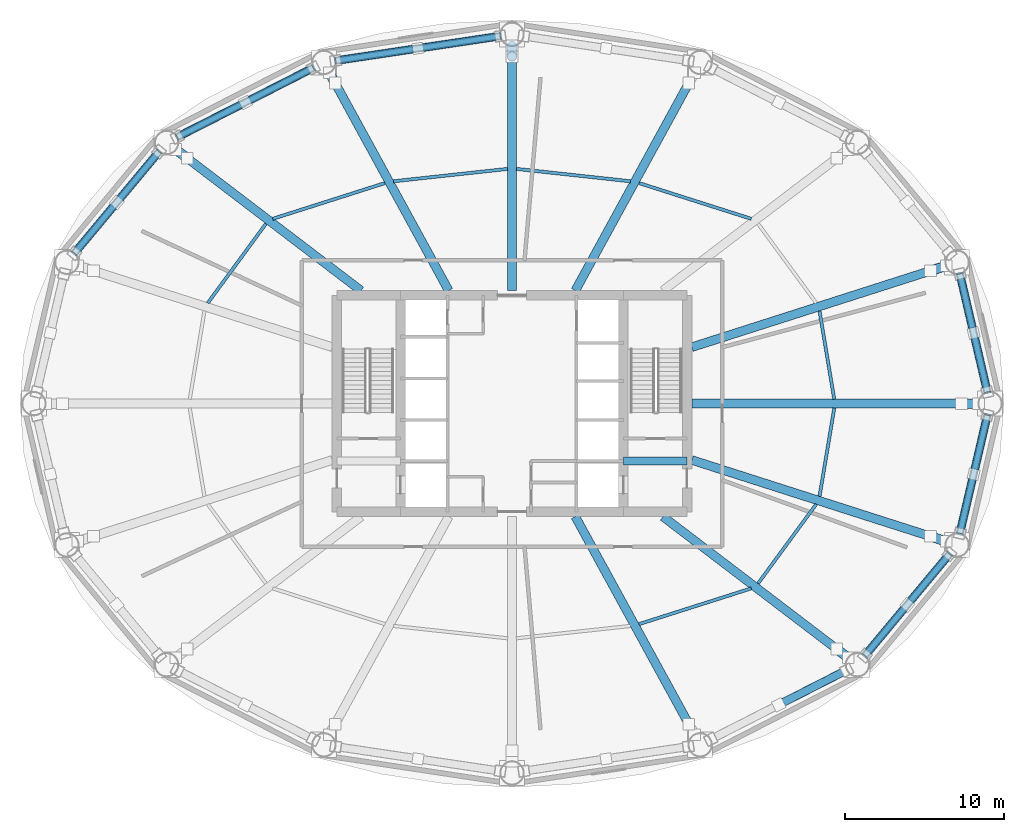
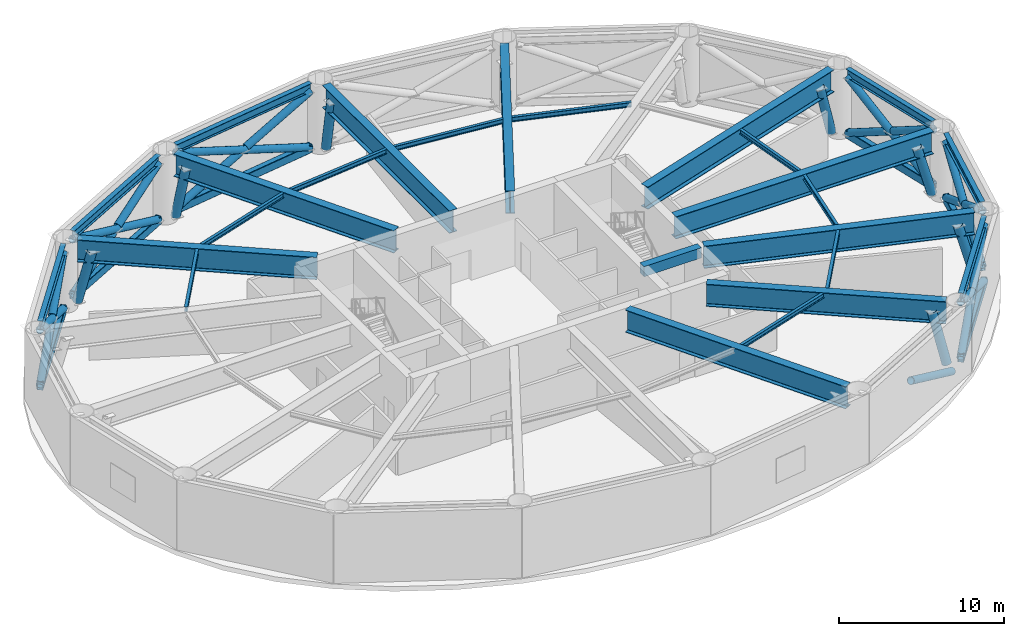
# One storey, part 2 of 7: 32 members, 25 beams.
"""IFC4 building model written with IfcOpenShell, lengths in metres."""

from ifc_helpers import new_model, si_unit, direction, frame, origin, origin_2d, place, context, subcontext, project, spatial, rectangle, hollow_rectangle, hollow_circle, i_section, extrude, material, material_profile, profile_set, type_object, element, save


model = new_model("IFC4")

# Units and contexts
model_context = context("Model", 3, precision=1e-05, world=origin(), true_north=direction((0.0, 1.0)))
body_context = subcontext(model_context, "Body", "Model", "MODEL_VIEW")
ifc_project = project(units=[si_unit("LENGTHUNIT", "METRE"), si_unit("AREAUNIT", "SQUARE_METRE"), si_unit("VOLUMEUNIT", "CUBIC_METRE"), si_unit("PLANEANGLEUNIT", "RADIAN"), si_unit("MASSUNIT", "GRAM", prefix="KILO")], contexts=[model_context])

# Site, building, storey
site_placement = place(None, origin())
site = spatial("IfcSite", under=ifc_project, at=site_placement, CompositionType="ELEMENT")
building_placement = place(site_placement, origin())
building = spatial("IfcBuilding", under=site, at=building_placement, Name="Sarneth Arch Tower", CompositionType="ELEMENT")
storey_placement = place(building_placement, frame((0.0, 0.0, 78.60009765625)))
storey = spatial("IfcBuildingStorey", under=building, at=storey_placement, Name="L19", CompositionType="ELEMENT", Elevation=78.60009765625)

# Beams
ifc_material_1 = material(Name="Steel S355", Category="steel")
ifc_material_profile_1 = material_profile(ifc_material_1, i_section(OverallWidth=0.202880859375, OverallDepth=0.346923828125, WebThickness=0.0078125, FlangeThickness=0.013427734375, FilletRadius=0.014892578125, at=origin_2d()), Name="W360x64")
ifc_profile_set_1 = profile_set([ifc_material_profile_1], Name="Steel S355")
beam_type_1 = type_object("IfcBeamType", Name="BM-JOIST-360C", PredefinedType="JOIST", material=ifc_profile_set_1)
beam_1_placement = place(storey_placement, frame((68.2470703125, 42.271240234375, 4.976318359375), z_axis=(-0.164469283922, 0.986382205155, 0.0), x_axis=(-0.986382205155, -0.164469283922, 0.0)))
element("IfcBeam", 1, at=beam_1_placement, inside=storey, type_object=beam_type_1, Name="L19 Secondary floor joist 01", PredefinedType="JOIST", context=body_context, shape_type="SweptSolid", body=[
    extrude(i_section(OverallWidth=0.202880859375, OverallDepth=0.346923828125, WebThickness=0.0078125, FlangeThickness=0.013427734375, FilletRadius=0.014892578125, at=origin_2d()), origin(), (0.0, 0.0, 1.0), 5.6318359375),
])
beam_2_placement = place(storey_placement, frame((63.031494140625, 53.608642578125, 4.976318359375), z_axis=(-0.952846465824, 0.303452817695, 0.0), x_axis=(-0.303452817695, -0.952846465824, 0.0)))
element("IfcBeam", 2, at=beam_2_placement, inside=storey, type_object=beam_type_1, Name="L19 Secondary floor joist 03", PredefinedType="JOIST", context=body_context, shape_type="SweptSolid", body=[
    extrude(i_section(OverallWidth=0.202880859375, OverallDepth=0.346923828125, WebThickness=0.0078125, FlangeThickness=0.013427734375, FilletRadius=0.014892578125, at=origin_2d()), origin(), (0.0, 0.0, 1.0), 7.40087890625),
])
for number, where, z_axis, x_axis, name in (
    (3, (55.44384765625, 55.9677734375, 4.976318359375), (-0.994171309858, 0.107811904048, 0.0), (-0.107811904048, -0.994171309858, 0.0), "L19 Secondary floor joist 04"),
    (4, (47.7265625, 56.745361328125, 4.976318359375), (-0.994171309858, -0.107811904048, 0.0), (0.107811904048, -0.994171309858, 0.0), "L19 Secondary floor joist 05"),
):
    element("IfcBeam", number, at=place(storey_placement, frame(where, z_axis=z_axis, x_axis=x_axis)), inside=storey, type_object=beam_type_1, Name=name, PredefinedType="JOIST", context=body_context, shape_type="SweptSolid", body=[
        extrude(i_section(OverallWidth=0.202880859375, OverallDepth=0.346923828125, WebThickness=0.0078125, FlangeThickness=0.013427734375, FilletRadius=0.014892578125, at=origin_2d()), origin(), (0.0, 0.0, 1.0), 7.21240234375),
    ])
beam_3_placement = place(storey_placement, frame((40.0205078125, 55.8544921875, 4.976318359375), z_axis=(-0.952846465824, -0.303452817695, 0.0), x_axis=(0.303452817695, -0.952846465824, 0.0)))
element("IfcBeam", 5, at=beam_3_placement, inside=storey, type_object=beam_type_1, Name="L19 Secondary floor joist 06", PredefinedType="JOIST", context=body_context, shape_type="SweptSolid", body=[
    extrude(i_section(OverallWidth=0.202880859375, OverallDepth=0.346923828125, WebThickness=0.0078125, FlangeThickness=0.013427734375, FilletRadius=0.014892578125, at=origin_2d()), origin(), (0.0, 0.0, 1.0), 7.40087890625),
])
beam_4_placement = place(storey_placement, frame((32.543701171875, 53.303466796875, 4.976318359375), z_axis=(-0.59154342723, -0.806273138397, 0.0), x_axis=(0.806273138397, -0.59154342723, 0.0)))
element("IfcBeam", 6, at=beam_4_placement, inside=storey, type_object=beam_type_1, Name="L19 Secondary floor joist 07", PredefinedType="JOIST", context=body_context, shape_type="SweptSolid", body=[
    extrude(i_section(OverallWidth=0.202880859375, OverallDepth=0.346923828125, WebThickness=0.0078125, FlangeThickness=0.013427734375, FilletRadius=0.014892578125, at=origin_2d()), origin(), (0.0, 0.0, 1.0), 6.181640625),
])
beam_5_placement = place(storey_placement, frame((55.9794921875, 28.1455078125, 4.976318359375), z_axis=(0.952846465824, 0.303452817695, 0.0), x_axis=(-0.303452817695, 0.952846465824, 0.0)))
element("IfcBeam", 7, at=beam_5_placement, inside=storey, type_object=beam_type_1, Name="L19 Secondary floor joist 14", PredefinedType="JOIST", context=body_context, shape_type="SweptSolid", body=[
    extrude(i_section(OverallWidth=0.202880859375, OverallDepth=0.346923828125, WebThickness=0.0078125, FlangeThickness=0.013427734375, FilletRadius=0.014892578125, at=origin_2d()), origin(), (0.0, 0.0, 1.0), 7.40087890625),
])
beam_6_placement = place(storey_placement, frame((63.456298828125, 30.696533203125, 4.976318359375), z_axis=(0.59154342723, 0.806273138397, 0.0), x_axis=(-0.806273138397, 0.59154342723, 0.0)))
element("IfcBeam", 8, at=beam_6_placement, inside=storey, type_object=beam_type_1, Name="L19 Secondary floor joist 15", PredefinedType="JOIST", context=body_context, shape_type="SweptSolid", body=[
    extrude(i_section(OverallWidth=0.202880859375, OverallDepth=0.346923828125, WebThickness=0.0078125, FlangeThickness=0.013427734375, FilletRadius=0.014892578125, at=origin_2d()), origin(), (0.0, 0.0, 1.0), 6.181640625),
])
beam_7_placement = place(storey_placement, frame((67.32080078125, 36.173583984375, 4.976318359375), z_axis=(0.164469283922, 0.986382205155, 0.0), x_axis=(-0.986382205155, 0.164469283922, 0.0)))
element("IfcBeam", 9, at=beam_7_placement, inside=storey, type_object=beam_type_1, Name="L19 Secondary floor joist 16", PredefinedType="JOIST", context=body_context, shape_type="SweptSolid", body=[
    extrude(i_section(OverallWidth=0.202880859375, OverallDepth=0.346923828125, WebThickness=0.0078125, FlangeThickness=0.013427734375, FilletRadius=0.014892578125, at=origin_2d()), origin(), (0.0, 0.0, 1.0), 5.6318359375),
])
ifc_material_2 = material(Name="Concrete C50/60", Category="concrete")
ifc_material_profile_2 = material_profile(ifc_material_2, rectangle(XDim=0.5, YDim=0.75, at=origin_2d()), Name="RC-500x750")
ifc_profile_set_2 = profile_set([ifc_material_profile_2], Name="Concrete C50/60")
beam_type_2 = type_object("IfcBeamType", Name="BM-LINTEL-RC", PredefinedType="LINTEL", material=ifc_profile_set_2)
beam_8_placement = place(storey_placement, frame((55.0, 38.39990234375, 4.77490234375), z_axis=(1.0, 0.0, 0.0), x_axis=(0.0, 1.0, 0.0)))
element("IfcBeam", 10, at=beam_8_placement, inside=storey, type_object=beam_type_2, Name="L19 Core coupling lintel E", PredefinedType="LINTEL", context=body_context, shape_type="SweptSolid", body=[
    extrude(rectangle(XDim=0.5, YDim=0.75, at=origin_2d()), origin(), (0.0, 0.0, 1.0), 4.0),
])
ifc_material_3 = material(Name="Steel S355", Category="steel")
ifc_material_profile_3 = material_profile(ifc_material_3, i_section(OverallWidth=0.326904296875, OverallDepth=0.6220703125, WebThickness=0.015380859375, FlangeThickness=0.0244140625, FilletRadius=0.01904296875, at=origin_2d()), Name="W610x195")
ifc_profile_set_3 = profile_set([ifc_material_profile_3], Name="Steel S355")
beam_type_3 = type_object("IfcBeamType", Name="BM-SPAN-610A", PredefinedType="SPANDREL", material=ifc_profile_set_3)
beam_9_placement = place(storey_placement, frame((77.864501953125, 42.73046875, 4.8388671875), z_axis=(-0.226982354826, 0.973898870827, 0.0), x_axis=(-0.973898870827, -0.226982354826, 0.0)))
element("IfcBeam", 11, at=beam_9_placement, inside=storey, type_object=beam_type_3, Name="L19 Perimeter spandrel beam 01", PredefinedType="SPANDREL", context=body_context, shape_type="SweptSolid", body=[
    extrude(i_section(OverallWidth=0.326904296875, OverallDepth=0.6220703125, WebThickness=0.015380859375, FlangeThickness=0.0244140625, FilletRadius=0.01904296875, at=origin_2d()), origin(), (0.0, 0.0, 1.0), 7.6162109375),
])
beam_10_placement = place(storey_placement, frame((47.25830078125, 65.089111328125, 4.8388671875), z_axis=(-0.989020169581, -0.147780594675, 0.0), x_axis=(0.147780594675, -0.989020169581, 0.0)))
element("IfcBeam", 12, at=beam_10_placement, inside=storey, type_object=beam_type_3, Name="L19 Perimeter spandrel beam 05", PredefinedType="SPANDREL", context=body_context, shape_type="SweptSolid", body=[
    extrude(i_section(OverallWidth=0.326904296875, OverallDepth=0.6220703125, WebThickness=0.015380859375, FlangeThickness=0.0244140625, FilletRadius=0.01904296875, at=origin_2d()), origin(), (0.0, 0.0, 1.0), 10.44921875),
])
beam_11_placement = place(storey_placement, frame((35.513916015625, 63.09375, 4.8388671875), z_axis=(-0.891169106887, -0.453671271882, 0.0), x_axis=(0.453671271882, -0.891169106887, 0.0)))
element("IfcBeam", 13, at=beam_11_placement, inside=storey, type_object=beam_type_3, Name="L19 Perimeter spandrel beam 06", PredefinedType="SPANDREL", context=body_context, shape_type="SweptSolid", body=[
    extrude(i_section(OverallWidth=0.326904296875, OverallDepth=0.6220703125, WebThickness=0.015380859375, FlangeThickness=0.0244140625, FilletRadius=0.01904296875, at=origin_2d()), origin(), (0.0, 0.0, 1.0), 9.58544921875),
])
for number, where, z_axis, x_axis, name in (
    (14, (25.8232421875, 57.82861328125, 4.8388671875), (-0.639981736251, -0.768390120489, 0.0), (0.768390120489, -0.639981736251, 0.0), "L19 Perimeter spandrel beam 07"),
    (15, (70.1767578125, 26.17138671875, 4.8388671875), (0.639981736251, 0.768390120489, 0.0), (-0.768390120489, 0.639981736251, 0.0), "L19 Perimeter spandrel beam 15"),
):
    element("IfcBeam", number, at=place(storey_placement, frame(where, z_axis=z_axis, x_axis=x_axis)), inside=storey, type_object=beam_type_3, Name=name, PredefinedType="SPANDREL", context=body_context, shape_type="SweptSolid", body=[
        extrude(i_section(OverallWidth=0.326904296875, OverallDepth=0.6220703125, WebThickness=0.015380859375, FlangeThickness=0.0244140625, FilletRadius=0.01904296875, at=origin_2d()), origin(), (0.0, 0.0, 1.0), 8.29541015625),
    ])
beam_12_placement = place(storey_placement, frame((76.1357421875, 33.85205078125, 4.8388671875), z_axis=(0.226982354826, 0.973898870827, 0.0), x_axis=(-0.973898870827, 0.226982354826, 0.0)))
element("IfcBeam", 16, at=beam_12_placement, inside=storey, type_object=beam_type_3, Name="L19 Perimeter spandrel beam 16", PredefinedType="SPANDREL", context=body_context, shape_type="SweptSolid", body=[
    extrude(i_section(OverallWidth=0.326904296875, OverallDepth=0.6220703125, WebThickness=0.015380859375, FlangeThickness=0.0244140625, FilletRadius=0.01904296875, at=origin_2d()), origin(), (0.0, 0.0, 1.0), 7.6162109375),
])
ifc_material_4 = material(Name="Steel S355", Category="steel")
ifc_material_profile_4 = material_profile(ifc_material_4, i_section(OverallWidth=0.550048828125, OverallDepth=1.64990234375, WebThickness=0.02197265625, FlangeThickness=0.0380859375, FilletRadius=0.02392578125, at=origin_2d()), Name="CVS1650x680")
ifc_profile_set_4 = profile_set([ifc_material_profile_4], Name="Steel S355")
beam_type_4 = type_object("IfcBeamType", Name="BM-XFER-1650", PredefinedType="BEAM", material=ifc_profile_set_4)
beam_13_placement = place(storey_placement, frame((59.300048828125, 42.0, 4.324951171875), z_axis=(1.0, 0.0, 0.0), x_axis=(0.0, 1.0, 0.0)))
element("IfcBeam", 17, at=beam_13_placement, inside=storey, type_object=beam_type_4, Name="L19 Step-taper transfer girder 01", PredefinedType="BEAM", context=body_context, shape_type="SweptSolid", body=[
    extrude(i_section(OverallWidth=0.550048828125, OverallDepth=1.64990234375, WebThickness=0.02197265625, FlangeThickness=0.0380859375, FilletRadius=0.02392578125, at=origin_2d()), origin(), (0.0, 0.0, 1.0), 17.98486328125),
])
beam_14_placement = place(storey_placement, frame((59.300048828125, 45.54541015625, 4.324951171875), z_axis=(0.952426347531, 0.304768850983, 0.0), x_axis=(-0.304768850983, 0.952426347531, 0.0)))
element("IfcBeam", 18, at=beam_14_placement, inside=storey, type_object=beam_type_4, Name="L19 Step-taper transfer girder 02", PredefinedType="BEAM", context=body_context, shape_type="SweptSolid", body=[
    extrude(i_section(OverallWidth=0.550048828125, OverallDepth=1.64990234375, WebThickness=0.02197265625, FlangeThickness=0.0380859375, FilletRadius=0.02392578125, at=origin_2d()), origin(), (0.0, 0.0, 1.0), 16.748046875),
])
beam_15_placement = place(storey_placement, frame((51.976806640625, 49.10009765625, 4.324951171875), z_axis=(0.479917263034, 0.87731375268, 0.0), x_axis=(-0.87731375268, 0.479917263034, 0.0)))
element("IfcBeam", 19, at=beam_15_placement, inside=storey, type_object=beam_type_4, Name="L19 Step-taper transfer girder 04", PredefinedType="BEAM", context=body_context, shape_type="SweptSolid", body=[
    extrude(i_section(OverallWidth=0.550048828125, OverallDepth=1.64990234375, WebThickness=0.02197265625, FlangeThickness=0.0380859375, FilletRadius=0.02392578125, at=origin_2d()), origin(), (0.0, 0.0, 1.0), 15.588623046875),
])
beam_16_placement = place(storey_placement, frame((48.0, 49.10009765625, 4.324951171875), z_axis=(0.0, 1.0, 0.0), x_axis=(-1.0, 0.0, 0.0)))
element("IfcBeam", 20, at=beam_16_placement, inside=storey, type_object=beam_type_4, Name="L19 Step-taper transfer girder 05", PredefinedType="BEAM", context=body_context, shape_type="SweptSolid", body=[
    extrude(i_section(OverallWidth=0.550048828125, OverallDepth=1.64990234375, WebThickness=0.02197265625, FlangeThickness=0.0380859375, FilletRadius=0.02392578125, at=origin_2d()), origin(), (0.0, 0.0, 1.0), 15.349853515625),
])
beam_17_placement = place(storey_placement, frame((44.023193359375, 49.10009765625, 4.324951171875), z_axis=(-0.479917263034, 0.87731375268, 0.0), x_axis=(-0.87731375268, -0.479917263034, 0.0)))
element("IfcBeam", 21, at=beam_17_placement, inside=storey, type_object=beam_type_4, Name="L19 Step-taper transfer girder 06", PredefinedType="BEAM", context=body_context, shape_type="SweptSolid", body=[
    extrude(i_section(OverallWidth=0.550048828125, OverallDepth=1.64990234375, WebThickness=0.02197265625, FlangeThickness=0.0380859375, FilletRadius=0.02392578125, at=origin_2d()), origin(), (0.0, 0.0, 1.0), 15.588623046875),
])
beam_18_placement = place(storey_placement, frame((38.512939453125, 49.10009765625, 4.324951171875), z_axis=(-0.79536339196, 0.606132885373, 0.0), x_axis=(-0.606132885373, -0.79536339196, 0.0)))
element("IfcBeam", 22, at=beam_18_placement, inside=storey, type_object=beam_type_4, Name="L19 Step-taper transfer girder 07", PredefinedType="BEAM", context=body_context, shape_type="SweptSolid", body=[
    extrude(i_section(OverallWidth=0.550048828125, OverallDepth=1.64990234375, WebThickness=0.02197265625, FlangeThickness=0.0380859375, FilletRadius=0.02392578125, at=origin_2d()), origin(), (0.0, 0.0, 1.0), 14.600830078125),
])
beam_19_placement = place(storey_placement, frame((51.976806640625, 34.89990234375, 4.324951171875), z_axis=(0.479917263034, -0.87731375268, 0.0), x_axis=(0.87731375268, 0.479917263034, 0.0)))
element("IfcBeam", 23, at=beam_19_placement, inside=storey, type_object=beam_type_4, Name="L19 Step-taper transfer girder 14", PredefinedType="BEAM", context=body_context, shape_type="SweptSolid", body=[
    extrude(i_section(OverallWidth=0.550048828125, OverallDepth=1.64990234375, WebThickness=0.02197265625, FlangeThickness=0.0380859375, FilletRadius=0.02392578125, at=origin_2d()), origin(), (0.0, 0.0, 1.0), 15.588623046875),
])
beam_20_placement = place(storey_placement, frame((57.487060546875, 34.89990234375, 4.324951171875), z_axis=(0.79536339196, -0.606132885373, 0.0), x_axis=(0.606132885373, 0.79536339196, 0.0)))
element("IfcBeam", 24, at=beam_20_placement, inside=storey, type_object=beam_type_4, Name="L19 Step-taper transfer girder 15", PredefinedType="BEAM", context=body_context, shape_type="SweptSolid", body=[
    extrude(i_section(OverallWidth=0.550048828125, OverallDepth=1.64990234375, WebThickness=0.02197265625, FlangeThickness=0.0380859375, FilletRadius=0.02392578125, at=origin_2d()), origin(), (0.0, 0.0, 1.0), 14.600830078125),
])
beam_21_placement = place(storey_placement, frame((59.300048828125, 38.45458984375, 4.324951171875), z_axis=(0.952426347531, -0.304768850983, 0.0), x_axis=(0.304768850983, 0.952426347531, 0.0)))
element("IfcBeam", 25, at=beam_21_placement, inside=storey, type_object=beam_type_4, Name="L19 Step-taper transfer girder 16", PredefinedType="BEAM", context=body_context, shape_type="SweptSolid", body=[
    extrude(i_section(OverallWidth=0.550048828125, OverallDepth=1.64990234375, WebThickness=0.02197265625, FlangeThickness=0.0380859375, FilletRadius=0.02392578125, at=origin_2d()), origin(), (0.0, 0.0, 1.0), 16.748046875),
])

# Members
ifc_material_5 = material(Name="Steel S355", Category="steel")
ifc_material_profile_5 = material_profile(ifc_material_5, hollow_rectangle(XDim=0.39990234375, YDim=0.60009765625, WallThickness=0.02197265625, InnerFilletRadius=0.032958984375, OuterFilletRadius=0.054931640625, at=origin_2d()), Name="RHS600x400x22")
ifc_profile_set_5 = profile_set([ifc_material_profile_5], Name="Steel S355")
member_type_1 = type_object("IfcMemberType", Name="MEM-BELT-CHORD", PredefinedType="CHORD", material=ifc_profile_set_5)
member_1_placement = place(storey_placement, frame((77.864501953125, 42.73046875, 0.349853515625), z_axis=(-0.226982354826, 0.973898870827, 0.0), x_axis=(-0.973898870827, -0.226982354826, 0.0)))
element("IfcMember", 26, at=member_1_placement, inside=storey, type_object=member_type_1, Name="L19 Ring belt bottom chord 01", PredefinedType="CHORD", context=body_context, shape_type="SweptSolid", body=[
    extrude(hollow_rectangle(XDim=0.39990234375, YDim=0.60009765625, WallThickness=0.02197265625, InnerFilletRadius=0.032958984375, OuterFilletRadius=0.054931640625, at=origin_2d()), origin(), (0.0, 0.0, 1.0), 7.6162109375),
])
member_2_placement = place(storey_placement, frame((47.25830078125, 65.089111328125, 0.349853515625), z_axis=(-0.989020169581, -0.147780594675, 0.0), x_axis=(0.147780594675, -0.989020169581, 0.0)))
element("IfcMember", 27, at=member_2_placement, inside=storey, type_object=member_type_1, Name="L19 Ring belt bottom chord 05", PredefinedType="CHORD", context=body_context, shape_type="SweptSolid", body=[
    extrude(hollow_rectangle(XDim=0.39990234375, YDim=0.60009765625, WallThickness=0.02197265625, InnerFilletRadius=0.032958984375, OuterFilletRadius=0.054931640625, at=origin_2d()), origin(), (0.0, 0.0, 1.0), 10.44921875),
])
member_3_placement = place(storey_placement, frame((35.513916015625, 63.09375, 0.349853515625), z_axis=(-0.891169106887, -0.453671271882, 0.0), x_axis=(0.453671271882, -0.891169106887, 0.0)))
element("IfcMember", 28, at=member_3_placement, inside=storey, type_object=member_type_1, Name="L19 Ring belt bottom chord 06", PredefinedType="CHORD", context=body_context, shape_type="SweptSolid", body=[
    extrude(hollow_rectangle(XDim=0.39990234375, YDim=0.60009765625, WallThickness=0.02197265625, InnerFilletRadius=0.032958984375, OuterFilletRadius=0.054931640625, at=origin_2d()), origin(), (0.0, 0.0, 1.0), 9.58544921875),
])
for number, where, z_axis, x_axis, name in (
    (29, (25.8232421875, 57.82861328125, 0.349853515625), (-0.639981736251, -0.768390120489, 0.0), (0.768390120489, -0.639981736251, 0.0), "L19 Ring belt bottom chord 07"),
    (30, (70.1767578125, 26.17138671875, 0.349853515625), (0.639981736251, 0.768390120489, 0.0), (-0.768390120489, 0.639981736251, 0.0), "L19 Ring belt bottom chord 15"),
):
    element("IfcMember", number, at=place(storey_placement, frame(where, z_axis=z_axis, x_axis=x_axis)), inside=storey, type_object=member_type_1, Name=name, PredefinedType="CHORD", context=body_context, shape_type="SweptSolid", body=[
        extrude(hollow_rectangle(XDim=0.39990234375, YDim=0.60009765625, WallThickness=0.02197265625, InnerFilletRadius=0.032958984375, OuterFilletRadius=0.054931640625, at=origin_2d()), origin(), (0.0, 0.0, 1.0), 8.29541015625),
    ])
member_4_placement = place(storey_placement, frame((76.1357421875, 33.85205078125, 0.349853515625), z_axis=(0.226982354826, 0.973898870827, 0.0), x_axis=(-0.973898870827, 0.226982354826, 0.0)))
element("IfcMember", 31, at=member_4_placement, inside=storey, type_object=member_type_1, Name="L19 Ring belt bottom chord 16", PredefinedType="CHORD", context=body_context, shape_type="SweptSolid", body=[
    extrude(hollow_rectangle(XDim=0.39990234375, YDim=0.60009765625, WallThickness=0.02197265625, InnerFilletRadius=0.032958984375, OuterFilletRadius=0.054931640625, at=origin_2d()), origin(), (0.0, 0.0, 1.0), 7.6162109375),
])
ifc_material_6 = material(Name="Steel S355", Category="steel")
ifc_material_profile_6 = material_profile(ifc_material_6, hollow_circle(Radius=0.304931640625, WallThickness=0.02001953125, at=origin_2d()), Name="CHS610x20")
ifc_profile_set_6 = profile_set([ifc_material_profile_6], Name="Steel S355")
member_type_2 = type_object("IfcMemberType", Name="MEM-BELT-DIAG1", PredefinedType="BRACE", material=ifc_profile_set_6)
member_5_placement = place(storey_placement, frame((77.3046875, 42.0, 0.449951171875), z_axis=(-0.271093680651, 0.0, 0.962552968055), x_axis=(0.0, -1.0, 0.0)))
element("IfcMember", 32, at=member_5_placement, inside=storey, type_object=member_type_2, Name="L19 Step-taper inclined transfer strut 01", PredefinedType="BRACE", context=body_context, shape_type="SweptSolid", body=[
    extrude(hollow_circle(Radius=0.304931640625, WallThickness=0.02001953125, at=origin_2d()), origin(), (0.0, 0.0, 1.0), 3.93994140625),
])
member_6_placement = place(storey_placement, frame((75.270263671875, 50.65576171875, 0.449951171875), z_axis=(-0.249154199908, -0.079716917327, 0.965177391861), x_axis=(0.304732636136, -0.952437935234, 0.0)))
element("IfcMember", 33, at=member_6_placement, inside=storey, type_object=member_type_2, Name="L19 Step-taper inclined transfer strut 02", PredefinedType="BRACE", context=body_context, shape_type="SweptSolid", body=[
    extrude(hollow_circle(Radius=0.304931640625, WallThickness=0.02001953125, at=origin_2d()), origin(), (0.0, 0.0, 1.0), 3.92919921875),
])
member_7_placement = place(storey_placement, frame((48.0, 64.469970703125, 0.449951171875), z_axis=(0.0, -0.17395168611, 0.984754188059), x_axis=(1.0, 0.0, 0.0)))
element("IfcMember", 34, at=member_7_placement, inside=storey, type_object=member_type_2, Name="L19 Step-taper inclined transfer strut 05", PredefinedType="BRACE", context=body_context, shape_type="SweptSolid", body=[
    extrude(hollow_circle(Radius=0.304931640625, WallThickness=0.02001953125, at=origin_2d()), origin(), (0.0, 0.0, 1.0), 3.85107421875),
])
member_8_placement = place(storey_placement, frame((36.532470703125, 62.79345703125, 0.449951171875), z_axis=(0.092418184178, -0.16891744668, 0.981287814782), x_axis=(0.877280487813, 0.479978067939, 0.0)))
element("IfcMember", 35, at=member_8_placement, inside=storey, type_object=member_type_2, Name="L19 Step-taper inclined transfer strut 06", PredefinedType="BRACE", context=body_context, shape_type="SweptSolid", body=[
    extrude(hollow_circle(Radius=0.304931640625, WallThickness=0.02001953125, at=origin_2d()), origin(), (0.0, 0.0, 1.0), 3.86474609375),
])
for number, where, z_axis, x_axis, name in (
    (36, (26.884033203125, 57.96240234375, 0.449951171875), (0.184239852461, -0.140403041882, 0.972801450757), (0.60612466617, 0.795369655607, 0.0), "L19 Step-taper inclined transfer strut 07"),
    (37, (69.115966796875, 26.03759765625, 0.449951171875), (-0.184239852461, 0.140403041882, 0.972801450757), (-0.60612466617, -0.795369655607, 0.0), "L19 Step-taper inclined transfer strut 15"),
):
    element("IfcMember", number, at=place(storey_placement, frame(where, z_axis=z_axis, x_axis=x_axis)), inside=storey, type_object=member_type_2, Name=name, PredefinedType="BRACE", context=body_context, shape_type="SweptSolid", body=[
        extrude(hollow_circle(Radius=0.304931640625, WallThickness=0.02001953125, at=origin_2d()), origin(), (0.0, 0.0, 1.0), 3.8984375),
    ])
member_9_placement = place(storey_placement, frame((75.270263671875, 33.34423828125, 0.449951171875), z_axis=(-0.249154199908, 0.079716917327, 0.965177391861), x_axis=(-0.304732636136, -0.952437935234, 0.0)))
element("IfcMember", 38, at=member_9_placement, inside=storey, type_object=member_type_2, Name="L19 Step-taper inclined transfer strut 16", PredefinedType="BRACE", context=body_context, shape_type="SweptSolid", body=[
    extrude(hollow_circle(Radius=0.304931640625, WallThickness=0.02001953125, at=origin_2d()), origin(), (0.0, 0.0, 1.0), 3.92919921875),
])
ifc_material_7 = material(Name="Steel S355", Category="steel")
ifc_material_profile_7 = material_profile(ifc_material_7, hollow_circle(Radius=0.25390625, WallThickness=0.01611328125, at=origin_2d()), Name="CHS508x16")
ifc_profile_set_7 = profile_set([ifc_material_profile_7], Name="Steel S355")
member_type_3 = type_object("IfcMemberType", Name="MEM-BELT-DIAG2", PredefinedType="BRACE", material=ifc_profile_set_7)
member_10_placement = place(storey_placement, frame((77.864501953125, 42.73046875, 0.349853515625), z_axis=(-0.19922689821, 0.854810284057, 0.47917431202), x_axis=(-0.973898870827, -0.226982354826, 0.0)))
element("IfcMember", 39, at=member_10_placement, inside=storey, type_object=member_type_3, Name="L19 Ring belt continuous diagonal A01", PredefinedType="BRACE", context=body_context, shape_type="SweptSolid", body=[
    extrude(hollow_circle(Radius=0.25390625, WallThickness=0.01611328125, at=origin_2d()), origin(), (0.0, 0.0, 1.0), 8.67724609375),
])
member_11_placement = place(storey_placement, frame((76.1357421875, 50.14794921875, 0.349853515625), z_axis=(0.199251739616, -0.854806084608, 0.479171474503), x_axis=(0.973892367511, 0.227010256383, 0.0)))
element("IfcMember", 40, at=member_11_placement, inside=storey, type_object=member_type_3, Name="L19 Ring belt split diagonal B1-01", PredefinedType="BRACE", context=body_context, shape_type="SweptSolid", body=[
    extrude(hollow_circle(Radius=0.25390625, WallThickness=0.01611328125, at=origin_2d()), origin(), (0.0, 0.0, 1.0), 4.0888671875),
])
member_12_placement = place(storey_placement, frame((77.050048828125, 46.225341796875, 2.548583984375), z_axis=(0.199204566921, -0.854800172505, 0.479201633556), x_axis=(0.973903901379, 0.226960769473, 0.0)))
element("IfcMember", 41, at=member_12_placement, inside=storey, type_object=member_type_3, Name="L19 Ring belt split diagonal B2-01", PredefinedType="BRACE", context=body_context, shape_type="SweptSolid", body=[
    extrude(hollow_circle(Radius=0.25390625, WallThickness=0.01611328125, at=origin_2d()), origin(), (0.0, 0.0, 1.0), 4.088623046875),
])
member_13_placement = place(storey_placement, frame((47.25830078125, 65.089111328125, 0.349853515625), z_axis=(-0.918939432826, -0.137309045892, 0.369724958197), x_axis=(0.147780594675, -0.989020169581, 0.0)))
element("IfcMember", 42, at=member_13_placement, inside=storey, type_object=member_type_3, Name="L19 Ring belt continuous diagonal A05", PredefinedType="BRACE", context=body_context, shape_type="SweptSolid", body=[
    extrude(hollow_circle(Radius=0.25390625, WallThickness=0.01611328125, at=origin_2d()), origin(), (0.0, 0.0, 1.0), 11.24609375),
])
for number, where, z_axis, x_axis, name in (
    (43, (36.923828125, 63.544921875, 0.349853515625), (0.918937272921, 0.137313510619, 0.369728668402), (-0.147785634721, 0.989019416478, 0.0), "L19 Ring belt split diagonal B1-05"),
    (44, (42.32080078125, 64.351318359375, 2.521240234375), (0.918937272921, 0.137313510619, 0.369728668402), (-0.147785634721, 0.989019416478, 0.0), "L19 Ring belt split diagonal B2-05"),
):
    element("IfcMember", number, at=place(storey_placement, frame(where, z_axis=z_axis, x_axis=x_axis)), inside=storey, type_object=member_type_3, Name=name, PredefinedType="BRACE", context=body_context, shape_type="SweptSolid", body=[
        extrude(hollow_circle(Radius=0.25390625, WallThickness=0.01611328125, at=origin_2d()), origin(), (0.0, 0.0, 1.0), 5.373046875),
    ])
member_14_placement = place(storey_placement, frame((35.513916015625, 63.09375, 0.349853515625), z_axis=(-0.817564175755, -0.416200894525, 0.397951798487), x_axis=(0.453671271882, -0.891169106887, 0.0)))
element("IfcMember", 45, at=member_14_placement, inside=storey, type_object=member_type_3, Name="L19 Ring belt continuous diagonal A06", PredefinedType="BRACE", context=body_context, shape_type="SweptSolid", body=[
    extrude(hollow_circle(Radius=0.25390625, WallThickness=0.01611328125, at=origin_2d()), origin(), (0.0, 0.0, 1.0), 10.448486328125),
])
for number, where, z_axis, x_axis, name in (
    (46, (26.9716796875, 58.7451171875, 0.349853515625), (0.817555850033, 0.416213820513, 0.397955384047), (-0.453686130759, 0.891161542459, 0.0), "L19 Ring belt split diagonal B1-06"),
    (47, (31.447265625, 61.0234375, 2.5283203125), (0.817555850033, 0.416213820513, 0.397955384047), (-0.453686130759, 0.891161542459, 0.0), "L19 Ring belt split diagonal B2-06"),
):
    element("IfcMember", number, at=place(storey_placement, frame(where, z_axis=z_axis, x_axis=x_axis)), inside=storey, type_object=member_type_3, Name=name, PredefinedType="BRACE", context=body_context, shape_type="SweptSolid", body=[
        extrude(hollow_circle(Radius=0.25390625, WallThickness=0.01611328125, at=origin_2d()), origin(), (0.0, 0.0, 1.0), 4.97412109375),
    ])
member_15_placement = place(storey_placement, frame((25.8232421875, 57.82861328125, 0.349853515625), z_axis=(-0.572132320621, -0.686927138504, 0.448102347781), x_axis=(0.768390120489, -0.639981736251, 0.0)))
element("IfcMember", 48, at=member_15_placement, inside=storey, type_object=member_type_3, Name="L19 Ring belt continuous diagonal A07", PredefinedType="BRACE", context=body_context, shape_type="SweptSolid", body=[
    extrude(hollow_circle(Radius=0.25390625, WallThickness=0.01611328125, at=origin_2d()), origin(), (0.0, 0.0, 1.0), 9.279052734375),
])
for number, where, z_axis, x_axis, name in (
    (49, (20.514404296875, 51.45458984375, 0.349853515625), (0.57215365454, 0.686895852393, 0.448123067428), (-0.768364050648, 0.640013035548, 0.0), "L19 Ring belt split diagonal B1-07"),
    (50, (23.31201171875, 54.813232421875, 2.541015625), (0.572108641121, 0.686964206347, 0.448075754703), (-0.768420127231, 0.639945707124, 0.0), "L19 Ring belt split diagonal B2-07"),
):
    element("IfcMember", number, at=place(storey_placement, frame(where, z_axis=z_axis, x_axis=x_axis)), inside=storey, type_object=member_type_3, Name=name, PredefinedType="BRACE", context=body_context, shape_type="SweptSolid", body=[
        extrude(hollow_circle(Radius=0.25390625, WallThickness=0.01611328125, at=origin_2d()), origin(), (0.0, 0.0, 1.0), 4.389404296875),
    ])
member_16_placement = place(storey_placement, frame((69.0283203125, 25.2548828125, 0.349853515625), z_axis=(-0.817555850033, -0.416213820513, 0.397955384047), x_axis=(0.453686130759, -0.891161542459, 0.0)))
element("IfcMember", 51, at=member_16_placement, inside=storey, type_object=member_type_3, Name="L19 Ring belt split diagonal B1-14", PredefinedType="BRACE", context=body_context, shape_type="SweptSolid", body=[
    extrude(hollow_circle(Radius=0.25390625, WallThickness=0.01611328125, at=origin_2d()), origin(), (0.0, 0.0, 1.0), 4.97412109375),
])
member_17_placement = place(storey_placement, frame((70.1767578125, 26.17138671875, 0.349853515625), z_axis=(0.572132320621, 0.686927138504, 0.448102347781), x_axis=(-0.768390120489, 0.639981736251, 0.0)))
element("IfcMember", 52, at=member_17_placement, inside=storey, type_object=member_type_3, Name="L19 Ring belt continuous diagonal A15", PredefinedType="BRACE", context=body_context, shape_type="SweptSolid", body=[
    extrude(hollow_circle(Radius=0.25390625, WallThickness=0.01611328125, at=origin_2d()), origin(), (0.0, 0.0, 1.0), 9.279052734375),
])
for number, where, z_axis, x_axis, name in (
    (53, (75.485595703125, 32.54541015625, 0.349853515625), (-0.57215365454, -0.686895852393, 0.448123067428), (0.768364050648, -0.640013035548, 0.0), "L19 Ring belt split diagonal B1-15"),
    (54, (72.68798828125, 29.186767578125, 2.541015625), (-0.572108641121, -0.686964206347, 0.448075754703), (0.768420127231, -0.639945707124, 0.0), "L19 Ring belt split diagonal B2-15"),
):
    element("IfcMember", number, at=place(storey_placement, frame(where, z_axis=z_axis, x_axis=x_axis)), inside=storey, type_object=member_type_3, Name=name, PredefinedType="BRACE", context=body_context, shape_type="SweptSolid", body=[
        extrude(hollow_circle(Radius=0.25390625, WallThickness=0.01611328125, at=origin_2d()), origin(), (0.0, 0.0, 1.0), 4.389404296875),
    ])
member_18_placement = place(storey_placement, frame((76.1357421875, 33.85205078125, 0.349853515625), z_axis=(0.19922689821, 0.854810284057, 0.47917431202), x_axis=(-0.973898870827, 0.226982354826, 0.0)))
element("IfcMember", 55, at=member_18_placement, inside=storey, type_object=member_type_3, Name="L19 Ring belt continuous diagonal A16", PredefinedType="BRACE", context=body_context, shape_type="SweptSolid", body=[
    extrude(hollow_circle(Radius=0.25390625, WallThickness=0.01611328125, at=origin_2d()), origin(), (0.0, 0.0, 1.0), 8.67724609375),
])
member_19_placement = place(storey_placement, frame((77.864501953125, 41.26953125, 0.349853515625), z_axis=(-0.199204566921, -0.854800172505, 0.479201633556), x_axis=(0.973903901379, -0.226960769473, 0.0)))
element("IfcMember", 56, at=member_19_placement, inside=storey, type_object=member_type_3, Name="L19 Ring belt split diagonal B1-16", PredefinedType="BRACE", context=body_context, shape_type="SweptSolid", body=[
    extrude(hollow_circle(Radius=0.25390625, WallThickness=0.01611328125, at=origin_2d()), origin(), (0.0, 0.0, 1.0), 4.088623046875),
])
member_20_placement = place(storey_placement, frame((76.950439453125, 37.34716796875, 2.548583984375), z_axis=(-0.199251739616, -0.854806084608, 0.479171474503), x_axis=(0.973892367511, -0.227010256383, 0.0)))
element("IfcMember", 57, at=member_20_placement, inside=storey, type_object=member_type_3, Name="L19 Ring belt split diagonal B2-16", PredefinedType="BRACE", context=body_context, shape_type="SweptSolid", body=[
    extrude(hollow_circle(Radius=0.25390625, WallThickness=0.01611328125, at=origin_2d()), origin(), (0.0, 0.0, 1.0), 4.0888671875),
])

save(model, "model.ifc")
